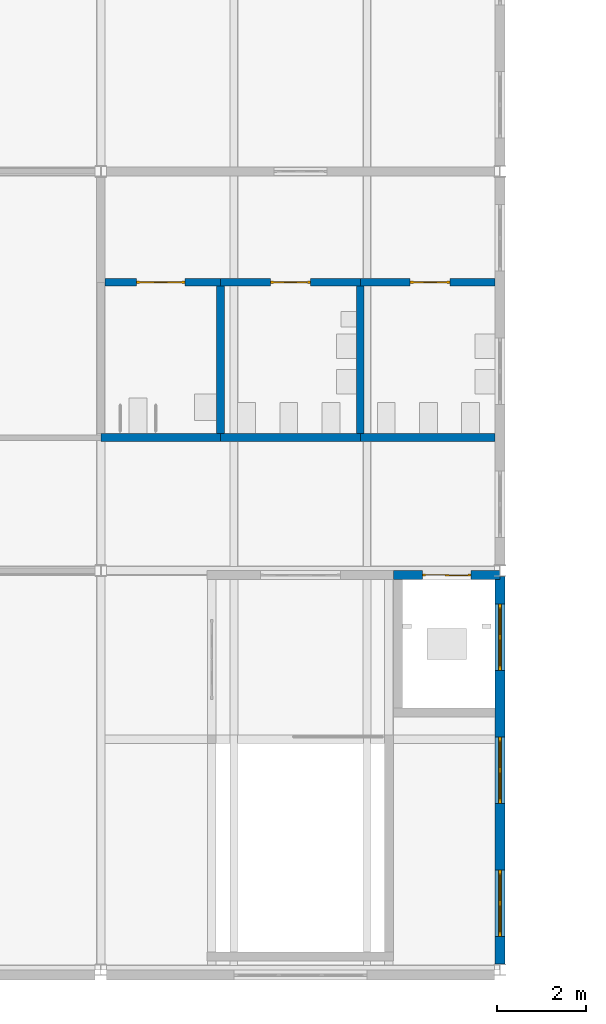
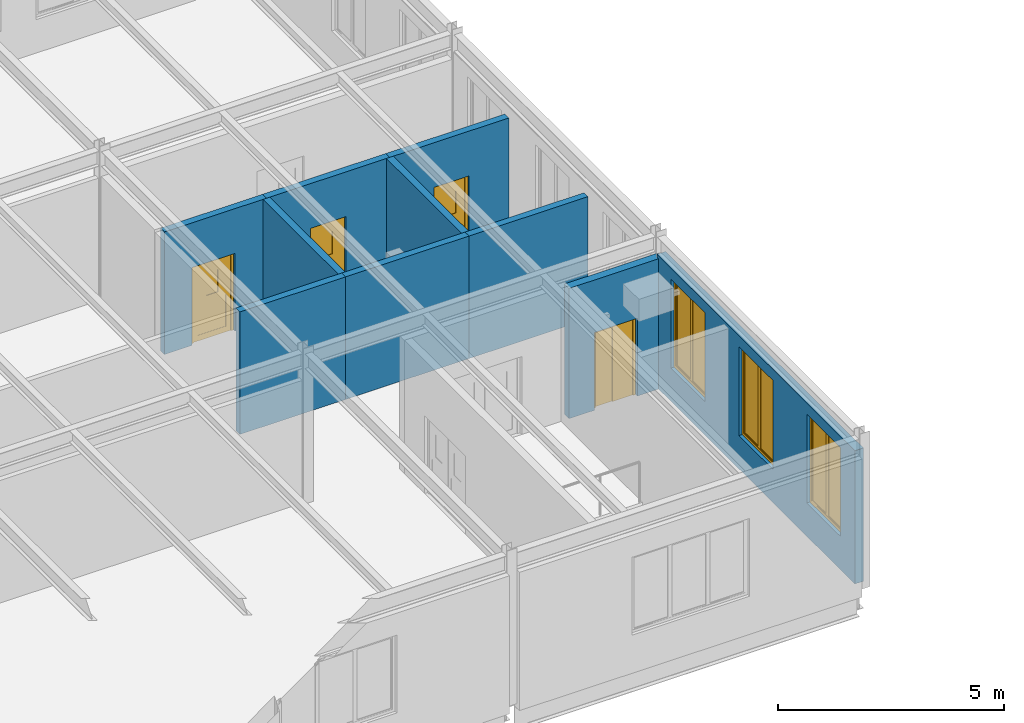
# One storey, part 77 of 123: 10 walls, 4 doors, 3 windows, 7 openings.
"""IFC4 building model written with IfcOpenShell, lengths in metres."""

from ifc_helpers import new_model, si_unit, direction, frame, frame_2d, origin, place, context, subcontext, project, spatial, polyline, rectangle, outline, extrude, material, layer, layer_set, type_object, element, fill, save


model = new_model("IFC4")

# Units and contexts
model_context = context("Model", 3, precision=1e-05, world=origin(), true_north=direction((0.0, 1.0)))
body_context = subcontext(model_context, "Body", "Model", "MODEL_VIEW")
ifc_project = project(units=[si_unit("LENGTHUNIT", "METRE"), si_unit("AREAUNIT", "SQUARE_METRE"), si_unit("VOLUMEUNIT", "CUBIC_METRE"), si_unit("PLANEANGLEUNIT", "RADIAN"), si_unit("MASSUNIT", "GRAM", prefix="KILO")], contexts=[model_context])

# Site, building, storey
site_placement = place(None, origin())
site = spatial("IfcSite", under=ifc_project, at=site_placement, CompositionType="ELEMENT")
building_placement = place(site_placement, origin())
building = spatial("IfcBuilding", under=site, at=building_placement, Name="Baradari Gate Terminus", CompositionType="ELEMENT")
storey_placement = place(building_placement, frame((0.0, 0.0, 7.5)))
storey = spatial("IfcBuildingStorey", under=building, at=storey_placement, Name="L01", CompositionType="ELEMENT", Elevation=7.5)

# Wall, openings, windows
ifc_material_1 = material(Name="Light ochre laterite masonry", Category="masonry")
ifc_layer_1 = layer(ifc_material_1, 0.219970703125)
ifc_layer_set_1 = layer_set([ifc_layer_1], Name="Light ochre laterite masonry")
wall_type_1 = type_object("IfcWallType", Name="Laterite masonry wall WP-2 220", PredefinedType="SOLIDWALL", material=ifc_layer_set_1)
wall_1_placement = place(storey_placement, frame((153.0, 9.126953125, 0.0), z_axis=(0.0, 0.0, 1.0), x_axis=(0.0, 1.0, 0.0)))
wall_1 = element("IfcWall", 1, at=wall_1_placement, inside=storey, type_object=wall_type_1, Name="east end wall SE bay 2 L01", PredefinedType="SOLIDWALL", context=body_context, shape_type="SweptSolid", body=[
    extrude(rectangle(XDim=8.742919921875, YDim=0.219970703125, at=frame_2d((4.37158203125, 0.0))), origin(), (0.0, 0.0, 1.0), 3.5966796875),
])
opening_1_placement = place(wall_1_placement, frame((0.623046875, 0.0, 0.89990234375)))
opening_1 = element("IfcOpeningElement", 2, at=opening_1_placement, cuts=wall_1, Name="Opening W1", PredefinedType="OPENING", context=body_context, shape_type="SweptSolid", body=[
    extrude(rectangle(XDim=1.5, YDim=2.39990234375, at=frame_2d((0.75, 1.199951171875))), frame((0.0, 0.119873046875, 0.0), z_axis=(0.0, -1.0, 0.0), x_axis=(1.0, 0.0, 0.0)), (0.0, 0.0, 1.0), 0.239990234375),
])
opening_2_placement = place(wall_1_placement, frame((3.623046875, 0.0, 0.89990234375)))
opening_2 = element("IfcOpeningElement", 3, at=opening_2_placement, cuts=wall_1, Name="Opening W1", PredefinedType="OPENING", context=body_context, shape_type="SweptSolid", body=[
    extrude(rectangle(XDim=1.5, YDim=2.39990234375, at=frame_2d((0.75, 1.199951171875))), frame((0.0, 0.119873046875, 0.0), z_axis=(0.0, -1.0, 0.0), x_axis=(1.0, 0.0, 0.0)), (0.0, 0.0, 1.0), 0.239990234375),
])
opening_3_placement = place(wall_1_placement, frame((6.623046875, 0.0, 0.89990234375)))
opening_3 = element("IfcOpeningElement", 4, at=opening_3_placement, cuts=wall_1, Name="Opening W1", PredefinedType="OPENING", context=body_context, shape_type="SweptSolid", body=[
    extrude(rectangle(XDim=1.5, YDim=2.39990234375, at=frame_2d((0.75, 1.199951171875))), frame((0.0, 0.119873046875, 0.0), z_axis=(0.0, -1.0, 0.0), x_axis=(1.0, 0.0, 0.0)), (0.0, 0.0, 1.0), 0.239990234375),
])
ifc_material_2 = material(Name="Aluminium 6063-T6", Category="aluminium")
window_type = type_object("IfcWindowType", Name="Punched window, 2-light W1 1500x2400", PartitioningType="DOUBLE_PANEL_VERTICAL", PredefinedType="WINDOW", material=ifc_material_2)
window_1_placement = place(opening_1_placement, origin())
window_1 = element("IfcWindow", 5, at=window_1_placement, inside=storey, type_object=window_type, Name="Window W1 SE/01", OverallHeight=2.4, OverallWidth=1.5, PartitioningType="DOUBLE_PANEL_VERTICAL", PredefinedType="WINDOW", context=body_context, shape_type="SweptSolid", body=[
    extrude(outline(polyline([(0.0, 0.0), (1.5, 0.0), (1.5, 2.39990234375), (0.0, 2.39990234375), (0.0, 0.0)]), holes=[polyline([(0.070068359375, 0.070068359375), (1.429931640625, 0.070068359375), (1.429931640625, 2.329833984375), (0.070068359375, 2.329833984375), (0.070068359375, 0.070068359375)])]), frame((0.0, 0.030029296875, 0.0), z_axis=(0.0, -1.0, 0.0), x_axis=(1.0, 0.0, 0.0)), (0.0, 0.0, 1.0), 0.06005859375),
    extrude(rectangle(XDim=0.0400390625, YDim=2.259765625, at=frame_2d((0.75, 1.199951171875))), frame((0.0, 0.02197265625, 0.0), z_axis=(0.0, -1.0, 0.0), x_axis=(1.0, 0.0, 0.0)), (0.0, 0.0, 1.0), 0.0439453125),
    extrude(outline(polyline([(0.070068359375, 0.070068359375), (0.72998046875, 0.070068359375), (0.72998046875, 2.329833984375), (0.070068359375, 2.329833984375), (0.070068359375, 0.070068359375)]), holes=[polyline([(0.10009765625, 0.10009765625), (0.699951171875, 0.10009765625), (0.699951171875, 2.2998046875), (0.10009765625, 2.2998046875), (0.10009765625, 0.10009765625)])]), frame((0.0, 0.0224609375, 0.0), z_axis=(0.0, -1.0, 0.0), x_axis=(1.0, 0.0, 0.0)), (0.0, 0.0, 1.0), 0.044921875),
    extrude(rectangle(XDim=0.599853515625, YDim=2.19970703125, at=frame_2d((0.39990234375, 1.199951171875))), frame((0.0, 0.006103515625, 0.0), z_axis=(0.0, -1.0, 0.0), x_axis=(1.0, 0.0, 0.0)), (0.0, 0.0, 1.0), 0.01220703125),
    extrude(outline(polyline([(0.77001953125, 0.070068359375), (1.429931640625, 0.070068359375), (1.429931640625, 2.329833984375), (0.77001953125, 2.329833984375), (0.77001953125, 0.070068359375)]), holes=[polyline([(0.800048828125, 0.10009765625), (1.39990234375, 0.10009765625), (1.39990234375, 2.2998046875), (0.800048828125, 2.2998046875), (0.800048828125, 0.10009765625)])]), frame((0.0, 0.0224609375, 0.0), z_axis=(0.0, -1.0, 0.0), x_axis=(1.0, 0.0, 0.0)), (0.0, 0.0, 1.0), 0.044921875),
    extrude(rectangle(XDim=0.599853515625, YDim=2.19970703125, at=frame_2d((1.10009765625, 1.199951171875))), frame((0.0, 0.006103515625, 0.0), z_axis=(0.0, -1.0, 0.0), x_axis=(1.0, 0.0, 0.0)), (0.0, 0.0, 1.0), 0.01220703125),
])
fill(opening_1, window_1)
window_2_placement = place(opening_2_placement, origin())
window_2 = element("IfcWindow", 6, at=window_2_placement, inside=storey, type_object=window_type, Name="Window W1 SE/01", OverallHeight=2.4, OverallWidth=1.5, PartitioningType="DOUBLE_PANEL_VERTICAL", PredefinedType="WINDOW", context=body_context, shape_type="SweptSolid", body=[
    extrude(outline(polyline([(0.0, 0.0), (1.5, 0.0), (1.5, 2.39990234375), (0.0, 2.39990234375), (0.0, 0.0)]), holes=[polyline([(0.070068359375, 0.070068359375), (1.429931640625, 0.070068359375), (1.429931640625, 2.329833984375), (0.070068359375, 2.329833984375), (0.070068359375, 0.070068359375)])]), frame((0.0, 0.030029296875, 0.0), z_axis=(0.0, -1.0, 0.0), x_axis=(1.0, 0.0, 0.0)), (0.0, 0.0, 1.0), 0.06005859375),
    extrude(rectangle(XDim=0.0400390625, YDim=2.259765625, at=frame_2d((0.75, 1.199951171875))), frame((0.0, 0.02197265625, 0.0), z_axis=(0.0, -1.0, 0.0), x_axis=(1.0, 0.0, 0.0)), (0.0, 0.0, 1.0), 0.0439453125),
    extrude(outline(polyline([(0.070068359375, 0.070068359375), (0.72998046875, 0.070068359375), (0.72998046875, 2.329833984375), (0.070068359375, 2.329833984375), (0.070068359375, 0.070068359375)]), holes=[polyline([(0.10009765625, 0.10009765625), (0.699951171875, 0.10009765625), (0.699951171875, 2.2998046875), (0.10009765625, 2.2998046875), (0.10009765625, 0.10009765625)])]), frame((0.0, 0.0224609375, 0.0), z_axis=(0.0, -1.0, 0.0), x_axis=(1.0, 0.0, 0.0)), (0.0, 0.0, 1.0), 0.044921875),
    extrude(rectangle(XDim=0.599853515625, YDim=2.19970703125, at=frame_2d((0.39990234375, 1.199951171875))), frame((0.0, 0.006103515625, 0.0), z_axis=(0.0, -1.0, 0.0), x_axis=(1.0, 0.0, 0.0)), (0.0, 0.0, 1.0), 0.01220703125),
    extrude(outline(polyline([(0.77001953125, 0.070068359375), (1.429931640625, 0.070068359375), (1.429931640625, 2.329833984375), (0.77001953125, 2.329833984375), (0.77001953125, 0.070068359375)]), holes=[polyline([(0.800048828125, 0.10009765625), (1.39990234375, 0.10009765625), (1.39990234375, 2.2998046875), (0.800048828125, 2.2998046875), (0.800048828125, 0.10009765625)])]), frame((0.0, 0.0224609375, 0.0), z_axis=(0.0, -1.0, 0.0), x_axis=(1.0, 0.0, 0.0)), (0.0, 0.0, 1.0), 0.044921875),
    extrude(rectangle(XDim=0.599853515625, YDim=2.19970703125, at=frame_2d((1.10009765625, 1.199951171875))), frame((0.0, 0.006103515625, 0.0), z_axis=(0.0, -1.0, 0.0), x_axis=(1.0, 0.0, 0.0)), (0.0, 0.0, 1.0), 0.01220703125),
])
fill(opening_2, window_2)
window_3_placement = place(opening_3_placement, origin())
window_3 = element("IfcWindow", 7, at=window_3_placement, inside=storey, type_object=window_type, Name="Window W1 SE/01", OverallHeight=2.4, OverallWidth=1.5, PartitioningType="DOUBLE_PANEL_VERTICAL", PredefinedType="WINDOW", context=body_context, shape_type="SweptSolid", body=[
    extrude(outline(polyline([(0.0, 0.0), (1.5, 0.0), (1.5, 2.39990234375), (0.0, 2.39990234375), (0.0, 0.0)]), holes=[polyline([(0.070068359375, 0.070068359375), (1.429931640625, 0.070068359375), (1.429931640625, 2.329833984375), (0.070068359375, 2.329833984375), (0.070068359375, 0.070068359375)])]), frame((0.0, 0.030029296875, 0.0), z_axis=(0.0, -1.0, 0.0), x_axis=(1.0, 0.0, 0.0)), (0.0, 0.0, 1.0), 0.06005859375),
    extrude(rectangle(XDim=0.0400390625, YDim=2.259765625, at=frame_2d((0.75, 1.199951171875))), frame((0.0, 0.02197265625, 0.0), z_axis=(0.0, -1.0, 0.0), x_axis=(1.0, 0.0, 0.0)), (0.0, 0.0, 1.0), 0.0439453125),
    extrude(outline(polyline([(0.070068359375, 0.070068359375), (0.72998046875, 0.070068359375), (0.72998046875, 2.329833984375), (0.070068359375, 2.329833984375), (0.070068359375, 0.070068359375)]), holes=[polyline([(0.10009765625, 0.10009765625), (0.699951171875, 0.10009765625), (0.699951171875, 2.2998046875), (0.10009765625, 2.2998046875), (0.10009765625, 0.10009765625)])]), frame((0.0, 0.0224609375, 0.0), z_axis=(0.0, -1.0, 0.0), x_axis=(1.0, 0.0, 0.0)), (0.0, 0.0, 1.0), 0.044921875),
    extrude(rectangle(XDim=0.599853515625, YDim=2.19970703125, at=frame_2d((0.39990234375, 1.199951171875))), frame((0.0, 0.006103515625, 0.0), z_axis=(0.0, -1.0, 0.0), x_axis=(1.0, 0.0, 0.0)), (0.0, 0.0, 1.0), 0.01220703125),
    extrude(outline(polyline([(0.77001953125, 0.070068359375), (1.429931640625, 0.070068359375), (1.429931640625, 2.329833984375), (0.77001953125, 2.329833984375), (0.77001953125, 0.070068359375)]), holes=[polyline([(0.800048828125, 0.10009765625), (1.39990234375, 0.10009765625), (1.39990234375, 2.2998046875), (0.800048828125, 2.2998046875), (0.800048828125, 0.10009765625)])]), frame((0.0, 0.0224609375, 0.0), z_axis=(0.0, -1.0, 0.0), x_axis=(1.0, 0.0, 0.0)), (0.0, 0.0, 1.0), 0.044921875),
    extrude(rectangle(XDim=0.599853515625, YDim=2.19970703125, at=frame_2d((1.10009765625, 1.199951171875))), frame((0.0, 0.006103515625, 0.0), z_axis=(0.0, -1.0, 0.0), x_axis=(1.0, 0.0, 0.0)), (0.0, 0.0, 1.0), 0.01220703125),
])
fill(opening_3, window_3)

# Wall, opening, door
ifc_material_3 = material(Name="Blockwork wall, fire rated", Category="masonry")
ifc_layer_2 = layer(ifc_material_3, 0.199951171875)
ifc_layer_set_2 = layer_set([ifc_layer_2], Name="Blockwork wall, fire rated")
wall_type_2 = type_object("IfcWallType", Name="Lift shaft wall SH-1 200 EI 120", PredefinedType="SOLIDWALL", material=ifc_layer_set_2)
wall_2_placement = place(storey_placement, frame((150.60205078125, 17.89990234375, 0.0), z_axis=(0.0, 0.0, 1.0), x_axis=(1.0, 0.0, 0.0)))
wall_2 = element("IfcWall", 8, at=wall_2_placement, inside=storey, type_object=wall_type_2, Name="Lift shaft wall LSW2 L01 N", PredefinedType="SOLIDWALL", context=body_context, shape_type="SweptSolid", body=[
    extrude(rectangle(XDim=2.39794921875, YDim=0.199951171875, at=frame_2d((1.198974609375, 0.0))), origin(), (0.0, 0.0, 1.0), 3.51611328125),
])
opening_4_placement = place(wall_2_placement, frame((0.64794921875, 0.0, 0.0)))
opening_4 = element("IfcOpeningElement", 9, at=opening_4_placement, cuts=wall_2, Name="Opening D01-013", PredefinedType="OPENING", context=body_context, shape_type="SweptSolid", body=[
    extrude(rectangle(XDim=1.10009765625, YDim=2.10009765625, at=frame_2d((0.550048828125, 1.050048828125))), frame((0.0, 0.10986328125, 0.0), z_axis=(0.0, -1.0, 0.0), x_axis=(1.0, 0.0, 0.0)), (0.0, 0.0, 1.0), 0.219970703125),
])
ifc_material_4 = material(Name="Stainless steel 1.4301", Category="steel")
door_type_1 = type_object("IfcDoorType", Name="Lift landing door LD 1100x2100 E 120", OperationType="SLIDING_TO_LEFT", PredefinedType="DOOR", material=ifc_material_4)
door_1_placement = place(opening_4_placement, origin())
door_1 = element("IfcDoor", 10, at=door_1_placement, inside=storey, type_object=door_type_1, Name="Lift landing door LSW2 L01", OperationType="SLIDING_TO_LEFT", OverallHeight=2.1, OverallWidth=1.1, PredefinedType="DOOR", context=body_context, shape_type="SweptSolid", body=[
    extrude(outline(polyline([(0.0, 0.0), (0.070068359375, 0.0), (0.070068359375, 2.030029296875), (1.030029296875, 2.030029296875), (1.030029296875, 0.0), (1.10009765625, 0.0), (1.10009765625, 2.10009765625), (0.0, 2.10009765625), (0.0, 0.0)])), frame((0.0, 0.02490234375, 0.0), z_axis=(0.0, -1.0, 0.0), x_axis=(1.0, 0.0, 0.0)), (0.0, 0.0, 1.0), 0.050048828125),
    extrude(rectangle(XDim=0.523681640625, YDim=2.01611328125, at=frame_2d((0.3359375, 1.01806640625))), frame((0.0, 0.017822265625, 0.0), z_axis=(0.0, -1.0, 0.0), x_axis=(1.0, 0.0, 0.0)), (0.0, 0.0, 1.0), 0.015869140625),
    extrude(rectangle(XDim=0.519775390625, YDim=2.01611328125, at=frame_2d((0.76611328125, 1.01806640625))), frame((0.0, -0.002197265625, 0.0), z_axis=(0.0, -1.0, 0.0), x_axis=(1.0, 0.0, 0.0)), (0.0, 0.0, 1.0), 0.015869140625),
])
fill(opening_4, door_1)

# Walls
ifc_material_5 = material(Name="Blockwork wall, tiled both faces", Category="masonry")
ifc_layer_3 = layer(ifc_material_5, 0.175048828125)
ifc_layer_set_3 = layer_set([ifc_layer_3], Name="Blockwork wall, tiled both faces")
wall_type_3 = type_object("IfcWallType", Name="WC wet wall PT-6 175 EI 60", PredefinedType="PARTITIONING", material=ifc_layer_set_3)
wall_3_placement = place(storey_placement, frame((144.0, 21.0, 0.0), z_axis=(0.0, 0.0, 1.0), x_axis=(1.0, 0.0, 0.0)))
element("IfcWall", 11, at=wall_3_placement, inside=storey, type_object=wall_type_3, Name="PT-6 partition Corridor (Service Corridor South) / Accessible WC", PredefinedType="PARTITIONING", context=body_context, shape_type="SweptSolid", body=[
    extrude(rectangle(XDim=2.699951171875, YDim=0.175048828125, at=frame_2d((1.35009765625, 0.0))), origin(), (0.0, 0.0, 1.0), 3.306884765625),
])
wall_4_placement = place(storey_placement, frame((146.699951171875, 21.0, 0.0), z_axis=(0.0, 0.0, 1.0), x_axis=(1.0, 0.0, 0.0)))
element("IfcWall", 12, at=wall_4_placement, inside=storey, type_object=wall_type_3, Name="PT-6 partition Corridor (Service Corridor South) / Male WC", PredefinedType="PARTITIONING", context=body_context, shape_type="SweptSolid", body=[
    extrude(rectangle(XDim=3.150146484375, YDim=0.175048828125, at=frame_2d((1.5751953125, 0.0))), origin(), (0.0, 0.0, 1.0), 3.306884765625),
])
wall_5_placement = place(storey_placement, frame((149.85009765625, 21.0, 0.0), z_axis=(0.0, 0.0, 1.0), x_axis=(1.0, 0.0, 0.0)))
element("IfcWall", 13, at=wall_5_placement, inside=storey, type_object=wall_type_3, Name="PT-6 partition Corridor (Service Corridor South) / Female WC", PredefinedType="PARTITIONING", context=body_context, shape_type="SweptSolid", body=[
    extrude(rectangle(XDim=3.037841796875, YDim=0.175048828125, at=frame_2d((1.51904296875, 0.0))), origin(), (0.0, 0.0, 1.0), 3.306884765625),
])

# Wall, opening, door
wall_6_placement = place(storey_placement, frame((146.699951171875, 24.5, 0.0), z_axis=(0.0, 0.0, 1.0), x_axis=(-1.0, 0.0, 0.0)))
wall_6 = element("IfcWall", 14, at=wall_6_placement, inside=storey, type_object=wall_type_3, Name="PT-6 partition WC Lobby / Accessible WC", PredefinedType="PARTITIONING", context=body_context, shape_type="SweptSolid", body=[
    extrude(rectangle(XDim=2.599853515625, YDim=0.175048828125, at=frame_2d((1.2998046875, 0.0))), origin(), (0.0, 0.0, 1.0), 3.306884765625),
])
opening_5_placement = place(wall_6_placement, frame((0.800048828125, 0.0, 0.0)))
opening_5 = element("IfcOpeningElement", 15, at=opening_5_placement, cuts=wall_6, Name="Opening D01-078", PredefinedType="OPENING", context=body_context, shape_type="SweptSolid", body=[
    extrude(rectangle(XDim=1.10009765625, YDim=2.10009765625, at=frame_2d((0.550048828125, 1.050048828125))), frame((0.0, 0.097412109375, 0.0), z_axis=(0.0, -1.0, 0.0), x_axis=(1.0, 0.0, 0.0)), (0.0, 0.0, 1.0), 0.195068359375),
])
ifc_material_6 = material(Name="Steel S275", Category="steel")
door_type_2 = type_object("IfcDoorType", Name="Fire door FI-1100-FD60S 1100x2100 FD60S", OperationType="SINGLE_SWING_LEFT", PredefinedType="DOOR", material=ifc_material_6)
door_2_placement = place(opening_5_placement, origin())
door_2 = element("IfcDoor", 16, at=door_2_placement, inside=storey, type_object=door_type_2, Name="Door Accessible WC", OperationType="SINGLE_SWING_LEFT", OverallHeight=2.1, OverallWidth=1.1, PredefinedType="DOOR", context=body_context, shape_type="SweptSolid", body=[
    extrude(outline(polyline([(0.0, 0.0), (0.070068359375, 0.0), (0.070068359375, 2.030029296875), (1.030029296875, 2.030029296875), (1.030029296875, 0.0), (1.10009765625, 0.0), (1.10009765625, 2.10009765625), (0.0, 2.10009765625), (0.0, 0.0)])), frame((0.0, 0.02490234375, 0.0), z_axis=(0.0, -1.0, 0.0), x_axis=(1.0, 0.0, 0.0)), (0.0, 0.0, 1.0), 0.050048828125),
    extrude(outline(polyline([(0.073974609375, 0.010009765625), (1.026123046875, 0.010009765625), (1.026123046875, 2.026123046875), (0.073974609375, 2.026123046875), (0.073974609375, 0.010009765625)]), holes=[polyline([(0.194091796875, 0.159912109375), (0.906005859375, 0.159912109375), (0.906005859375, 1.010009765625), (0.194091796875, 1.010009765625), (0.194091796875, 0.159912109375)]), polyline([(0.400146484375, 1.159912109375), (0.699951171875, 1.159912109375), (0.699951171875, 1.760009765625), (0.400146484375, 1.760009765625), (0.400146484375, 1.159912109375)])]), frame((0.0, 0.017333984375, 0.0), z_axis=(0.0, -1.0, 0.0), x_axis=(1.0, 0.0, 0.0)), (0.0, 0.0, 1.0), 0.034912109375),
    extrude(rectangle(XDim=0.7119140625, YDim=0.85009765625, at=frame_2d((0.550048828125, 0.5849609375))), frame((0.0, 0.008544921875, 0.0), z_axis=(0.0, -1.0, 0.0), x_axis=(1.0, 0.0, 0.0)), (0.0, 0.0, 1.0), 0.017333984375),
    extrude(rectangle(XDim=0.2998046875, YDim=0.60009765625, at=frame_2d((0.550048828125, 1.4599609375))), frame((0.0, 0.005859375, 0.0), z_axis=(0.0, -1.0, 0.0), x_axis=(1.0, 0.0, 0.0)), (0.0, 0.0, 1.0), 0.011962890625),
])
fill(opening_5, door_2)

wall_7_placement = place(storey_placement, frame((149.85009765625, 24.5, 0.0), z_axis=(0.0, 0.0, 1.0), x_axis=(-1.0, 0.0, 0.0)))
wall_7 = element("IfcWall", 17, at=wall_7_placement, inside=storey, type_object=wall_type_3, Name="PT-6 partition WC Lobby / Male WC", PredefinedType="PARTITIONING", context=body_context, shape_type="SweptSolid", body=[
    extrude(rectangle(XDim=3.150146484375, YDim=0.175048828125, at=frame_2d((1.5751953125, 0.0))), origin(), (0.0, 0.0, 1.0), 3.306884765625),
])
opening_6_placement = place(wall_7_placement, frame((1.125, 0.0, 0.0)))
opening_6 = element("IfcOpeningElement", 18, at=opening_6_placement, cuts=wall_7, Name="Opening D01-079", PredefinedType="OPENING", context=body_context, shape_type="SweptSolid", body=[
    extrude(rectangle(XDim=0.89990234375, YDim=2.10009765625, at=frame_2d((0.449951171875, 1.050048828125))), frame((0.0, 0.097412109375, 0.0), z_axis=(0.0, -1.0, 0.0), x_axis=(1.0, 0.0, 0.0)), (0.0, 0.0, 1.0), 0.195068359375),
])
ifc_material_7 = material(Name="Steel S275", Category="steel")
door_type_3 = type_object("IfcDoorType", Name="Fire door FI-900-FD60S 900x2100 FD60S", OperationType="SINGLE_SWING_LEFT", PredefinedType="DOOR", material=ifc_material_7)
door_3_placement = place(opening_6_placement, origin())
door_3 = element("IfcDoor", 19, at=door_3_placement, inside=storey, type_object=door_type_3, Name="Door Male WC", OperationType="SINGLE_SWING_LEFT", OverallHeight=2.1, OverallWidth=0.9, PredefinedType="DOOR", context=body_context, shape_type="SweptSolid", body=[
    extrude(outline(polyline([(0.0, 0.0), (0.070068359375, 0.0), (0.070068359375, 2.030029296875), (0.829833984375, 2.030029296875), (0.829833984375, 0.0), (0.89990234375, 0.0), (0.89990234375, 2.10009765625), (0.0, 2.10009765625), (0.0, 0.0)])), frame((0.0, 0.02490234375, 0.0), z_axis=(0.0, -1.0, 0.0), x_axis=(1.0, 0.0, 0.0)), (0.0, 0.0, 1.0), 0.050048828125),
    extrude(outline(polyline([(0.073974609375, 0.010009765625), (0.825927734375, 0.010009765625), (0.825927734375, 2.026123046875), (0.073974609375, 2.026123046875), (0.073974609375, 0.010009765625)]), holes=[polyline([(0.194091796875, 0.159912109375), (0.705810546875, 0.159912109375), (0.705810546875, 1.010009765625), (0.194091796875, 1.010009765625), (0.194091796875, 0.159912109375)]), polyline([(0.300048828125, 1.159912109375), (0.599853515625, 1.159912109375), (0.599853515625, 1.760009765625), (0.300048828125, 1.760009765625), (0.300048828125, 1.159912109375)])]), frame((0.0, 0.017333984375, 0.0), z_axis=(0.0, -1.0, 0.0), x_axis=(1.0, 0.0, 0.0)), (0.0, 0.0, 1.0), 0.034912109375),
    extrude(rectangle(XDim=0.51171875, YDim=0.85009765625, at=frame_2d((0.449951171875, 0.5849609375))), frame((0.0, 0.008544921875, 0.0), z_axis=(0.0, -1.0, 0.0), x_axis=(1.0, 0.0, 0.0)), (0.0, 0.0, 1.0), 0.017333984375),
    extrude(rectangle(XDim=0.2998046875, YDim=0.60009765625, at=frame_2d((0.449951171875, 1.4599609375))), frame((0.0, 0.005859375, 0.0), z_axis=(0.0, -1.0, 0.0), x_axis=(1.0, 0.0, 0.0)), (0.0, 0.0, 1.0), 0.011962890625),
])
fill(opening_6, door_3)

wall_8_placement = place(storey_placement, frame((152.887939453125, 24.5, 0.0), z_axis=(0.0, 0.0, 1.0), x_axis=(-1.0, 0.0, 0.0)))
wall_8 = element("IfcWall", 20, at=wall_8_placement, inside=storey, type_object=wall_type_3, Name="PT-6 partition WC Lobby / Female WC", PredefinedType="PARTITIONING", context=body_context, shape_type="SweptSolid", body=[
    extrude(rectangle(XDim=3.037841796875, YDim=0.175048828125, at=frame_2d((1.51904296875, 0.0))), origin(), (0.0, 0.0, 1.0), 3.306884765625),
])
opening_7_placement = place(wall_8_placement, frame((1.012939453125, 0.0, 0.0)))
opening_7 = element("IfcOpeningElement", 21, at=opening_7_placement, cuts=wall_8, Name="Opening D01-080", PredefinedType="OPENING", context=body_context, shape_type="SweptSolid", body=[
    extrude(rectangle(XDim=0.89990234375, YDim=2.10009765625, at=frame_2d((0.449951171875, 1.050048828125))), frame((0.0, 0.097412109375, 0.0), z_axis=(0.0, -1.0, 0.0), x_axis=(1.0, 0.0, 0.0)), (0.0, 0.0, 1.0), 0.195068359375),
])
door_4_placement = place(opening_7_placement, origin())
door_4 = element("IfcDoor", 22, at=door_4_placement, inside=storey, type_object=door_type_3, Name="Door Female WC", OperationType="SINGLE_SWING_LEFT", OverallHeight=2.1, OverallWidth=0.9, PredefinedType="DOOR", context=body_context, shape_type="SweptSolid", body=[
    extrude(outline(polyline([(0.0, 0.0), (0.070068359375, 0.0), (0.070068359375, 2.030029296875), (0.829833984375, 2.030029296875), (0.829833984375, 0.0), (0.89990234375, 0.0), (0.89990234375, 2.10009765625), (0.0, 2.10009765625), (0.0, 0.0)])), frame((0.0, 0.02490234375, 0.0), z_axis=(0.0, -1.0, 0.0), x_axis=(1.0, 0.0, 0.0)), (0.0, 0.0, 1.0), 0.050048828125),
    extrude(outline(polyline([(0.073974609375, 0.010009765625), (0.825927734375, 0.010009765625), (0.825927734375, 2.026123046875), (0.073974609375, 2.026123046875), (0.073974609375, 0.010009765625)]), holes=[polyline([(0.194091796875, 0.159912109375), (0.705810546875, 0.159912109375), (0.705810546875, 1.010009765625), (0.194091796875, 1.010009765625), (0.194091796875, 0.159912109375)]), polyline([(0.300048828125, 1.159912109375), (0.599853515625, 1.159912109375), (0.599853515625, 1.760009765625), (0.300048828125, 1.760009765625), (0.300048828125, 1.159912109375)])]), frame((0.0, 0.017333984375, 0.0), z_axis=(0.0, -1.0, 0.0), x_axis=(1.0, 0.0, 0.0)), (0.0, 0.0, 1.0), 0.034912109375),
    extrude(rectangle(XDim=0.51171875, YDim=0.85009765625, at=frame_2d((0.449951171875, 0.5849609375))), frame((0.0, 0.008544921875, 0.0), z_axis=(0.0, -1.0, 0.0), x_axis=(1.0, 0.0, 0.0)), (0.0, 0.0, 1.0), 0.017333984375),
    extrude(rectangle(XDim=0.2998046875, YDim=0.60009765625, at=frame_2d((0.449951171875, 1.4599609375))), frame((0.0, 0.005859375, 0.0), z_axis=(0.0, -1.0, 0.0), x_axis=(1.0, 0.0, 0.0)), (0.0, 0.0, 1.0), 0.011962890625),
])
fill(opening_7, door_4)

# Walls
for number, where, z_axis, x_axis, name in (
    (23, (146.699951171875, 24.41259765625, 0.0), (0.0, 0.0, 1.0), (0.0, -1.0, 0.0), "PT-6 partition Accessible WC / Male WC"),
    (24, (149.85009765625, 24.41259765625, 0.0), (0.0, 0.0, 1.0), (0.0, -1.0, 0.0), "PT-6 partition Male WC / Female WC"),
):
    element("IfcWall", number, at=place(storey_placement, frame(where, z_axis=z_axis, x_axis=x_axis)), inside=storey, type_object=wall_type_3, Name=name, PredefinedType="PARTITIONING", context=body_context, shape_type="SweptSolid", body=[
        extrude(rectangle(XDim=3.3251953125, YDim=0.175048828125, at=frame_2d((1.66259765625, 0.0))), origin(), (0.0, 0.0, 1.0), 3.306884765625),
    ])

save(model, "model.ifc")
